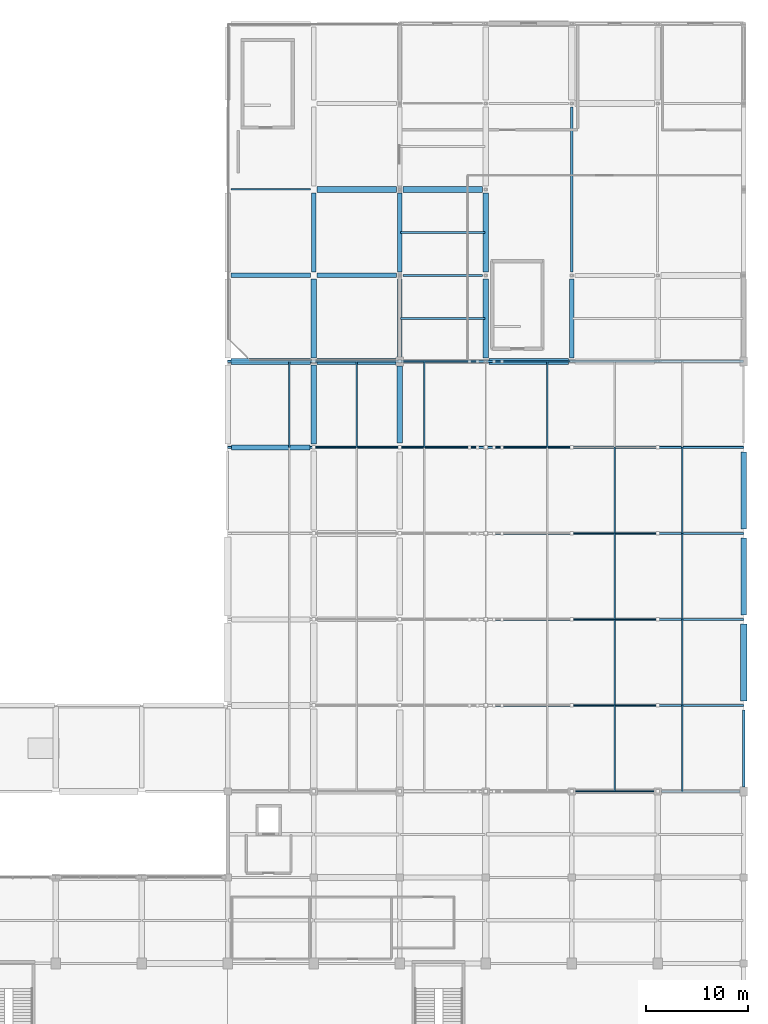
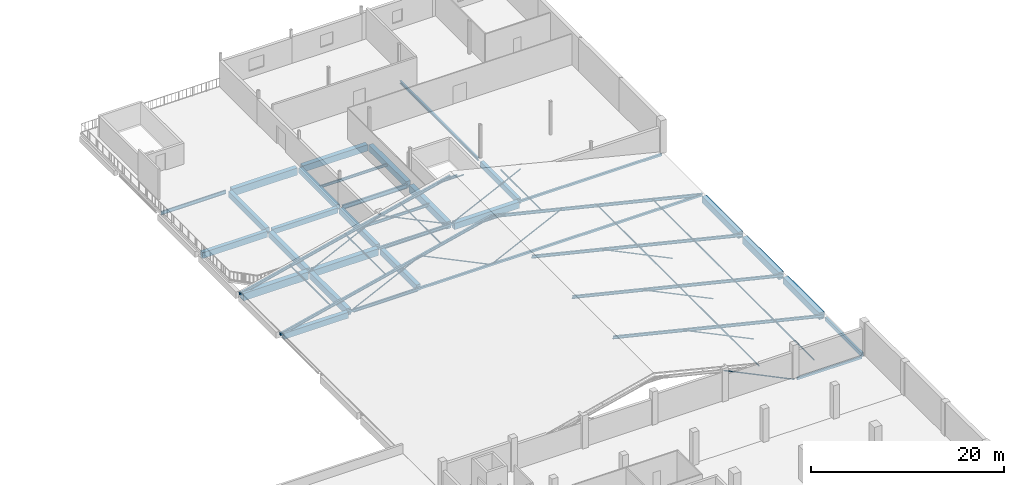
# One storey, part 37 of 64: 34 members, 29 beams.
"""IFC4 building model written with IfcOpenShell, lengths in metres."""

from ifc_helpers import new_model, si_unit, derived_unit, direction, frame, origin, origin_2d, place, context, subcontext, project, spatial, rectangle, hollow_rectangle, hollow_circle, i_section, extrude, material, material_profile, profile_set, type_object, element, save


model = new_model("IFC4")

# Units and contexts
model_context = context("Model", 3, precision=1e-05, world=origin(), true_north=direction((0.0, 1.0)))
body_context = subcontext(model_context, "Body", "Model", "MODEL_VIEW")
ifc_project = project(units=[si_unit("LENGTHUNIT", "METRE"), si_unit("AREAUNIT", "SQUARE_METRE"), si_unit("VOLUMEUNIT", "CUBIC_METRE"), si_unit("PLANEANGLEUNIT", "RADIAN"), si_unit("MASSUNIT", "GRAM", prefix="KILO"), derived_unit("THERMALTRANSMITTANCEUNIT", [(si_unit("POWERUNIT", "WATT"), 1), (si_unit("LENGTHUNIT", "METRE"), -2), (si_unit("THERMODYNAMICTEMPERATUREUNIT", "KELVIN"), -1)])], contexts=[model_context])

# Site, building, storey
site_placement = place(None, origin())
site = spatial("IfcSite", under=ifc_project, at=site_placement, CompositionType="ELEMENT")
building_placement = place(site_placement, origin())
building = spatial("IfcBuilding", under=site, at=building_placement, Name="Barrovel Congress Hotel", CompositionType="ELEMENT")
storey_placement = place(building_placement, frame((0.0, 0.0, 14.10009765625)))
storey = spatial("IfcBuildingStorey", under=building, at=storey_placement, Name="L03", CompositionType="ELEMENT", Elevation=14.10009765625)

# Beams
ifc_material_1 = material(Name="Concrete C40", Category="concrete")
ifc_material_profile_1 = material_profile(ifc_material_1, rectangle(XDim=0.25, YDim=0.5, at=origin_2d()), Name="RC250x500")
ifc_profile_set_1 = profile_set([ifc_material_profile_1], Name="Concrete C40")
beam_type_1 = type_object("IfcBeamType", Name="BM-RC250x500", PredefinedType="SPANDREL", material=ifc_profile_set_1)
beam_1_placement = place(storey_placement, frame((176.39990234375, 38.25, -0.489990234375), z_axis=(0.0, 1.0, 0.0), x_axis=(-1.0, 0.0, 0.0)))
element("IfcBeam", 1, at=beam_1_placement, inside=storey, type_object=beam_type_1, Name="BMY:L03:176.4:37.8-46.2", PredefinedType="SPANDREL", context=body_context, shape_type="SweptSolid", body=[
    extrude(rectangle(XDim=0.25, YDim=0.5, at=origin_2d()), origin(), (0.0, 0.0, 1.0), 7.5),
])
ifc_material_profile_2 = material_profile(ifc_material_1, rectangle(XDim=0.39990234375, YDim=0.699951171875, at=origin_2d()), Name="RC400x700")
ifc_profile_set_2 = profile_set([ifc_material_profile_2], Name="Concrete C40")
beam_type_2 = type_object("IfcBeamType", Name="BM-RC400x700", PredefinedType="BEAM", material=ifc_profile_set_2)
beam_2_placement = place(storey_placement, frame((159.60009765625, 80.125, -0.590087890625), z_axis=(0.0, 1.0, 0.0), x_axis=(-1.0, 0.0, 0.0)))
element("IfcBeam", 2, at=beam_2_placement, inside=storey, type_object=beam_type_2, Name="BMY:L03:159.6:79.8-88.2", PredefinedType="BEAM", context=body_context, shape_type="SweptSolid", body=[
    extrude(rectangle(XDim=0.39990234375, YDim=0.699951171875, at=origin_2d()), origin(), (0.0, 0.0, 1.0), 7.75),
])
ifc_material_profile_3 = material_profile(ifc_material_1, rectangle(XDim=0.449951171875, YDim=0.64990234375, at=origin_2d()), Name="RC450x650")
ifc_profile_set_3 = profile_set([ifc_material_profile_3], Name="Concrete C40")
beam_type_3 = type_object("IfcBeamType", Name="BM-RC450x650", PredefinedType="BEAM", material=ifc_profile_set_3)
for number, where, z_axis, x_axis, name in (
    (3, (134.72509765625, 88.199951171875, -0.565185546875), (1.0, 0.0, 0.0), (0.0, 1.0, 0.0), "BMX:L03:88.2:134.4-142.8"),
    (4, (142.800048828125, 88.52490234375, -0.565185546875), (0.0, 1.0, 0.0), (-1.0, 0.0, 0.0), "BMY:L03:142.8:88.2-96.6"),
):
    element("IfcBeam", number, at=place(storey_placement, frame(where, z_axis=z_axis, x_axis=x_axis)), inside=storey, type_object=beam_type_3, Name=name, PredefinedType="BEAM", context=body_context, shape_type="SweptSolid", body=[
        extrude(rectangle(XDim=0.449951171875, YDim=0.64990234375, at=origin_2d()), origin(), (0.0, 0.0, 1.0), 7.75),
    ])
ifc_material_profile_4 = material_profile(ifc_material_1, rectangle(XDim=0.449951171875, YDim=0.75, at=origin_2d()), Name="RC450x750")
ifc_profile_set_4 = profile_set([ifc_material_profile_4], Name="Concrete C40")
beam_type_4 = type_object("IfcBeamType", Name="BM-RC450x750", PredefinedType="BEAM", material=ifc_profile_set_4)
for number, where, z_axis, x_axis, name in (
    (5, (126.324951171875, 88.199951171875, -0.614990234375), (1.0, 0.0, 0.0), (0.0, 1.0, 0.0), "BMX:L03:88.2:126.0-134.4"),
    (6, (134.39990234375, 88.52490234375, -0.614990234375), (0.0, 1.0, 0.0), (-1.0, 0.0, 0.0), "BMY:L03:134.4:88.2-96.6"),
):
    element("IfcBeam", number, at=place(storey_placement, frame(where, z_axis=z_axis, x_axis=x_axis)), inside=storey, type_object=beam_type_4, Name=name, PredefinedType="BEAM", context=body_context, shape_type="SweptSolid", body=[
        extrude(rectangle(XDim=0.449951171875, YDim=0.75, at=origin_2d()), origin(), (0.0, 0.0, 1.0), 7.75),
    ])
beam_3_placement = place(storey_placement, frame((142.800048828125, 80.25, -0.614990234375), z_axis=(0.0, 1.0, 0.0), x_axis=(-1.0, 0.0, 0.0)))
element("IfcBeam", 7, at=beam_3_placement, inside=storey, type_object=beam_type_4, Name="BMY:L03:142.8:79.8-88.2", PredefinedType="BEAM", context=body_context, shape_type="SweptSolid", body=[
    extrude(rectangle(XDim=0.449951171875, YDim=0.75, at=origin_2d()), origin(), (0.0, 0.0, 1.0), 7.625),
])
ifc_material_profile_5 = material_profile(ifc_material_1, rectangle(XDim=0.5, YDim=0.75, at=origin_2d()), Name="RC500x750")
ifc_profile_set_5 = profile_set([ifc_material_profile_5], Name="Concrete C40")
beam_type_5 = type_object("IfcBeamType", Name="BM-RC500x750", PredefinedType="BEAM", material=ifc_profile_set_5)
beam_4_placement = place(storey_placement, frame((126.35009765625, 71.39990234375, -0.614990234375), z_axis=(1.0, 0.0, 0.0), x_axis=(0.0, 1.0, 0.0)))
element("IfcBeam", 8, at=beam_4_placement, inside=storey, type_object=beam_type_5, Name="BMX:L03:71.4:126.0-134.4", PredefinedType="BEAM", context=body_context, shape_type="SweptSolid", body=[
    extrude(rectangle(XDim=0.5, YDim=0.75, at=origin_2d()), origin(), (0.0, 0.0, 1.0), 7.699951171875),
])
beam_5_placement = place(storey_placement, frame((134.39990234375, 80.125, -0.614990234375), z_axis=(0.0, 1.0, 0.0), x_axis=(-1.0, 0.0, 0.0)))
element("IfcBeam", 9, at=beam_5_placement, inside=storey, type_object=beam_type_5, Name="BMY:L03:134.4:79.8-88.2", PredefinedType="BEAM", context=body_context, shape_type="SweptSolid", body=[
    extrude(rectangle(XDim=0.5, YDim=0.75, at=origin_2d()), origin(), (0.0, 0.0, 1.0), 7.75),
])
beam_6_placement = place(storey_placement, frame((142.800048828125, 71.85009765625, -0.614990234375), z_axis=(0.0, 1.0, 0.0), x_axis=(-1.0, 0.0, 0.0)))
element("IfcBeam", 10, at=beam_6_placement, inside=storey, type_object=beam_type_5, Name="BMY:L03:142.8:71.4-79.8", PredefinedType="BEAM", context=body_context, shape_type="SweptSolid", body=[
    extrude(rectangle(XDim=0.5, YDim=0.75, at=origin_2d()), origin(), (0.0, 0.0, 1.0), 7.5),
])
ifc_material_profile_6 = material_profile(ifc_material_1, rectangle(XDim=0.5, YDim=0.85009765625, at=origin_2d()), Name="RC500x850")
ifc_profile_set_6 = profile_set([ifc_material_profile_6], Name="Concrete C40")
beam_type_6 = type_object("IfcBeamType", Name="BM-RC500x850", PredefinedType="BEAM", material=ifc_profile_set_6)
beam_7_placement = place(storey_placement, frame((134.39990234375, 71.75, -0.6650390625), z_axis=(0.0, 1.0, 0.0), x_axis=(-1.0, 0.0, 0.0)))
element("IfcBeam", 11, at=beam_7_placement, inside=storey, type_object=beam_type_6, Name="BMY:L03:134.4:71.4-79.8", PredefinedType="BEAM", context=body_context, shape_type="SweptSolid", body=[
    extrude(rectangle(XDim=0.5, YDim=0.85009765625, at=origin_2d()), origin(), (0.0, 0.0, 1.0), 7.72509765625),
])
ifc_material_profile_7 = material_profile(ifc_material_1, rectangle(XDim=0.550048828125, YDim=0.800048828125, at=origin_2d()), Name="RC550x800")
ifc_profile_set_7 = profile_set([ifc_material_profile_7], Name="Concrete C40")
beam_type_7 = type_object("IfcBeamType", Name="BM-RC550x800", PredefinedType="BEAM", material=ifc_profile_set_7)
for number, where, z_axis, x_axis, name in (
    (12, (151.52490234375, 79.800048828125, -0.64013671875), (1.0, 0.0, 0.0), (0.0, 1.0, 0.0), "BMX:L03:79.8:151.2-159.6"),
    (13, (143.125, 96.60009765625, -0.64013671875), (1.0, 0.0, 0.0), (0.0, 1.0, 0.0), "BMX:L03:96.6:142.8-151.2"),
    (14, (151.199951171875, 88.52490234375, -0.64013671875), (0.0, 1.0, 0.0), (-1.0, 0.0, 0.0), "BMY:L03:151.2:88.2-96.6"),
):
    element("IfcBeam", number, at=place(storey_placement, frame(where, z_axis=z_axis, x_axis=x_axis)), inside=storey, type_object=beam_type_7, Name=name, PredefinedType="BEAM", context=body_context, shape_type="SweptSolid", body=[
        extrude(rectangle(XDim=0.550048828125, YDim=0.800048828125, at=origin_2d()), origin(), (0.0, 0.0, 1.0), 7.75),
    ])
beam_8_placement = place(storey_placement, frame((176.39990234375, 63.449951171875, -0.64013671875), z_axis=(0.0, 1.0, 0.0), x_axis=(-1.0, 0.0, 0.0)))
element("IfcBeam", 15, at=beam_8_placement, inside=storey, type_object=beam_type_7, Name="BMY:L03:176.4:63.0-71.4", PredefinedType="BEAM", context=body_context, shape_type="SweptSolid", body=[
    extrude(rectangle(XDim=0.550048828125, YDim=0.800048828125, at=origin_2d()), origin(), (0.0, 0.0, 1.0), 7.5),
])
ifc_material_profile_8 = material_profile(ifc_material_1, rectangle(XDim=0.550048828125, YDim=0.89990234375, at=origin_2d()), Name="RC550x900")
ifc_profile_set_8 = profile_set([ifc_material_profile_8], Name="Concrete C40")
beam_type_8 = type_object("IfcBeamType", Name="BM-RC550x900", PredefinedType="BEAM", material=ifc_profile_set_8)
for number, where, z_axis, x_axis, name in (
    (16, (134.72509765625, 96.60009765625, -0.690185546875), (1.0, 0.0, 0.0), (0.0, 1.0, 0.0), "BMX:L03:96.6:134.4-142.8"),
    (17, (151.199951171875, 80.125, -0.690185546875), (0.0, 1.0, 0.0), (-1.0, 0.0, 0.0), "BMY:L03:151.2:79.8-88.2"),
):
    element("IfcBeam", number, at=place(storey_placement, frame(where, z_axis=z_axis, x_axis=x_axis)), inside=storey, type_object=beam_type_8, Name=name, PredefinedType="BEAM", context=body_context, shape_type="SweptSolid", body=[
        extrude(rectangle(XDim=0.550048828125, YDim=0.89990234375, at=origin_2d()), origin(), (0.0, 0.0, 1.0), 7.75),
    ])
beam_9_placement = place(storey_placement, frame((176.39990234375, 55.050048828125, -0.690185546875), z_axis=(0.0, 1.0, 0.0), x_axis=(-1.0, 0.0, 0.0)))
element("IfcBeam", 18, at=beam_9_placement, inside=storey, type_object=beam_type_8, Name="BMY:L03:176.4:54.6-63.0", PredefinedType="BEAM", context=body_context, shape_type="SweptSolid", body=[
    extrude(rectangle(XDim=0.550048828125, YDim=0.89990234375, at=origin_2d()), origin(), (0.0, 0.0, 1.0), 7.5),
])
ifc_material_profile_9 = material_profile(ifc_material_1, rectangle(XDim=0.60009765625, YDim=0.85009765625, at=origin_2d()), Name="RC600x850")
ifc_profile_set_9 = profile_set([ifc_material_profile_9], Name="Concrete C40")
beam_type_9 = type_object("IfcBeamType", Name="BM-RC600x850", PredefinedType="BEAM", material=ifc_profile_set_9)
beam_10_placement = place(storey_placement, frame((134.72509765625, 79.800048828125, -0.6650390625), z_axis=(1.0, 0.0, 0.0), x_axis=(0.0, 1.0, 0.0)))
element("IfcBeam", 19, at=beam_10_placement, inside=storey, type_object=beam_type_9, Name="BMX:L03:79.8:134.4-142.8", PredefinedType="BEAM", context=body_context, shape_type="SweptSolid", body=[
    extrude(rectangle(XDim=0.60009765625, YDim=0.85009765625, at=origin_2d()), origin(), (0.0, 0.0, 1.0), 7.724853515625),
])
beam_11_placement = place(storey_placement, frame((176.39990234375, 46.64990234375, -0.6650390625), z_axis=(0.0, 1.0, 0.0), x_axis=(-1.0, 0.0, 0.0)))
element("IfcBeam", 20, at=beam_11_placement, inside=storey, type_object=beam_type_9, Name="BMY:L03:176.4:46.2-54.6", PredefinedType="BEAM", context=body_context, shape_type="SweptSolid", body=[
    extrude(rectangle(XDim=0.60009765625, YDim=0.85009765625, at=origin_2d()), origin(), (0.0, 0.0, 1.0), 7.5),
])
ifc_material_profile_10 = material_profile(ifc_material_1, rectangle(XDim=0.60009765625, YDim=0.949951171875, at=origin_2d()), Name="RC600x950")
ifc_profile_set_10 = profile_set([ifc_material_profile_10], Name="Concrete C40")
beam_type_10 = type_object("IfcBeamType", Name="BM-RC600x950", PredefinedType="BEAM", material=ifc_profile_set_10)
beam_12_placement = place(storey_placement, frame((126.324951171875, 79.800048828125, -0.715087890625), z_axis=(1.0, 0.0, 0.0), x_axis=(0.0, 1.0, 0.0)))
element("IfcBeam", 21, at=beam_12_placement, inside=storey, type_object=beam_type_10, Name="BMX:L03:79.8:126.0-134.4", PredefinedType="BEAM", context=body_context, shape_type="SweptSolid", body=[
    extrude(rectangle(XDim=0.60009765625, YDim=0.949951171875, at=origin_2d()), origin(), (0.0, 0.0, 1.0), 7.75),
])

# Members
ifc_material_2 = material(Name="Steel ASTM A500 Grade C", Category="steel")
ifc_material_profile_11 = material_profile(ifc_material_2, hollow_circle(Radius=0.070556640625, WallThickness=0.006591796875, at=origin_2d()), Name="CHS141.3x7.1")
ifc_profile_set_11 = profile_set([ifc_material_profile_11], Name="Steel ASTM A500 Grade C")
member_type_1 = type_object("IfcMemberType", Name="MEM-CHS141.3x7.1", PredefinedType="BRACE", material=ifc_profile_set_11)
for number, where, z_axis, x_axis, name in (
    (22, (168.0, 37.800048828125, -0.380126953125), (-0.90053926839, 0.0, 0.434774684277), (0.0, -1.0, 0.0), "V2-TR-DG:1:168.0-159.6"),
    (23, (168.0, 46.199951171875, -0.380126953125), (-0.90053926839, 0.0, 0.434774684277), (0.0, -1.0, 0.0), "V2-TR-DG:2:168.0-159.6"),
    (24, (168.0, 54.60009765625, -0.380126953125), (-0.90053926839, 0.0, 0.434774684277), (0.0, -1.0, 0.0), "V2-TR-DG:3:168.0-159.6"),
    (25, (168.0, 63.0, -0.380126953125), (-0.90053926839, 0.0, 0.434774684277), (0.0, -1.0, 0.0), "V2-TR-DG:4:168.0-159.6"),
):
    element("IfcMember", number, at=place(storey_placement, frame(where, z_axis=z_axis, x_axis=x_axis)), inside=storey, type_object=member_type_1, Name=name, PredefinedType="BRACE", context=body_context, shape_type="SweptSolid", body=[
        extrude(hollow_circle(Radius=0.070556640625, WallThickness=0.006591796875, at=origin_2d()), origin(), (0.0, 0.0, 1.0), 9.32763671875),
    ])
member_1_placement = place(storey_placement, frame((134.39990234375, 71.39990234375, -0.380126953125), z_axis=(0.900544215842, 0.0, 0.434764436578), x_axis=(0.0, 1.0, 0.0)))
element("IfcMember", 26, at=member_1_placement, inside=storey, type_object=member_type_1, Name="V2-TR-DG:5:134.4-142.8", PredefinedType="BRACE", context=body_context, shape_type="SweptSolid", body=[
    extrude(hollow_circle(Radius=0.070556640625, WallThickness=0.006591796875, at=origin_2d()), origin(), (0.0, 0.0, 1.0), 9.327880859375),
])
member_2_placement = place(storey_placement, frame((151.199951171875, 71.39990234375, -0.380126953125), z_axis=(-0.90053926839, 0.0, 0.434774684277), x_axis=(0.0, -1.0, 0.0)))
element("IfcMember", 27, at=member_2_placement, inside=storey, type_object=member_type_1, Name="V2-TR-DG:5:151.2-142.8", PredefinedType="BRACE", context=body_context, shape_type="SweptSolid", body=[
    extrude(hollow_circle(Radius=0.070556640625, WallThickness=0.006591796875, at=origin_2d()), origin(), (0.0, 0.0, 1.0), 9.32763671875),
])
for number, where, z_axis, x_axis, name in (
    (28, (151.199951171875, 71.39990234375, -0.380126953125), (0.900544215842, 0.0, 0.434764436578), (0.0, 1.0, 0.0), "V2-TR-DG:5:151.2-159.6"),
    (29, (134.39990234375, 79.800048828125, -0.380126953125), (0.900544215842, 0.0, 0.434764436578), (0.0, 1.0, 0.0), "V2-TR-DG:6:134.4-142.8"),
):
    element("IfcMember", number, at=place(storey_placement, frame(where, z_axis=z_axis, x_axis=x_axis)), inside=storey, type_object=member_type_1, Name=name, PredefinedType="BRACE", context=body_context, shape_type="SweptSolid", body=[
        extrude(hollow_circle(Radius=0.070556640625, WallThickness=0.006591796875, at=origin_2d()), origin(), (0.0, 0.0, 1.0), 9.327880859375),
    ])
member_3_placement = place(storey_placement, frame((151.199951171875, 79.800048828125, -0.380126953125), z_axis=(-0.90053926839, 0.0, 0.434774684277), x_axis=(0.0, -1.0, 0.0)))
element("IfcMember", 30, at=member_3_placement, inside=storey, type_object=member_type_1, Name="V2-TR-DG:6:151.2-142.8", PredefinedType="BRACE", context=body_context, shape_type="SweptSolid", body=[
    extrude(hollow_circle(Radius=0.070556640625, WallThickness=0.006591796875, at=origin_2d()), origin(), (0.0, 0.0, 1.0), 9.32763671875),
])
member_4_placement = place(storey_placement, frame((151.199951171875, 79.800048828125, -0.380126953125), z_axis=(0.900544215842, 0.0, 0.434764436578), x_axis=(0.0, 1.0, 0.0)))
element("IfcMember", 31, at=member_4_placement, inside=storey, type_object=member_type_1, Name="V2-TR-DG:6:151.2-159.6", PredefinedType="BRACE", context=body_context, shape_type="SweptSolid", body=[
    extrude(hollow_circle(Radius=0.070556640625, WallThickness=0.006591796875, at=origin_2d()), origin(), (0.0, 0.0, 1.0), 9.327880859375),
])
ifc_material_profile_12 = material_profile(ifc_material_2, hollow_rectangle(XDim=0.126953125, YDim=0.126953125, WallThickness=0.005859375, InnerFilletRadius=0.005859375, OuterFilletRadius=0.01171875, at=origin_2d()), Name="HSS127x127x6.4")
ifc_profile_set_12 = profile_set([ifc_material_profile_12], Name="Steel ASTM A500 Grade C")
member_type_2 = type_object("IfcMemberType", Name="MEM-HSS127x127x6.4", PredefinedType="STRUT", material=ifc_profile_set_12)
for number, where, z_axis, x_axis, name in (
    (32, (149.60009765625, 71.39990234375, 5.31689453125), (1.0, 0.0, 0.0), (0.0, 1.0, 0.0), "V2-TR-STRUT:5"),
    (33, (149.60009765625, 79.800048828125, 5.31689453125), (1.0, 0.0, 0.0), (0.0, 1.0, 0.0), "V2-TR-STRUT:6"),
):
    element("IfcMember", number, at=place(storey_placement, frame(where, z_axis=z_axis, x_axis=x_axis)), inside=storey, type_object=member_type_2, Name=name, PredefinedType="STRUT", context=body_context, shape_type="SweptSolid", body=[
        extrude(hollow_rectangle(XDim=0.126953125, YDim=0.126953125, WallThickness=0.005859375, InnerFilletRadius=0.005859375, OuterFilletRadius=0.01171875, at=origin_2d()), origin(), (0.0, 0.0, 1.0), 3.199951171875),
    ])
ifc_material_profile_13 = material_profile(ifc_material_2, hollow_rectangle(XDim=0.1015625, YDim=0.15234375, WallThickness=0.005859375, InnerFilletRadius=0.005859375, OuterFilletRadius=0.01171875, at=origin_2d()), Name="HSS152x102x6.4")
ifc_profile_set_13 = profile_set([ifc_material_profile_13], Name="Steel ASTM A500 Grade C")
member_type_3 = type_object("IfcMemberType", Name="MEM-HSS152x102x6.4", PredefinedType="PURLIN", material=ifc_profile_set_13)
for number, where, z_axis, x_axis, name in (
    (34, (132.0, 71.39990234375, 1.208251953125), (0.0, 1.0, 0.0), (-1.0, 0.0, 0.0), "V2-PUR:132.0:71.4"),
    (35, (138.60009765625, 71.39990234375, 2.801513671875), (0.0, 1.0, 0.0), (-1.0, 0.0, 0.0), "V2-PUR:138.6:71.4"),
    (36, (145.199951171875, 71.39990234375, 4.39453125), (0.0, 1.0, 0.0), (-1.0, 0.0, 0.0), "V2-PUR:145.2:71.4"),
    (37, (157.199951171875, 71.39990234375, 4.39453125), (0.0, 1.0, 0.0), (-1.0, 0.0, 0.0), "V2-PUR:157.2:71.4"),
):
    element("IfcMember", number, at=place(storey_placement, frame(where, z_axis=z_axis, x_axis=x_axis)), inside=storey, type_object=member_type_3, Name=name, PredefinedType="PURLIN", context=body_context, shape_type="SweptSolid", body=[
        extrude(hollow_rectangle(XDim=0.1015625, YDim=0.15234375, WallThickness=0.005859375, InnerFilletRadius=0.005859375, OuterFilletRadius=0.01171875, at=origin_2d()), origin(), (0.0, 0.0, 1.0), 8.400146484375),
    ])
member_5_placement = place(storey_placement, frame((163.800048828125, 37.800048828125, 2.801513671875), z_axis=(0.0, 1.0, 0.0), x_axis=(-1.0, 0.0, 0.0)))
element("IfcMember", 38, at=member_5_placement, inside=storey, type_object=member_type_3, Name="V2-PUR:163.8:37.8", PredefinedType="PURLIN", context=body_context, shape_type="SweptSolid", body=[
    extrude(hollow_rectangle(XDim=0.1015625, YDim=0.15234375, WallThickness=0.005859375, InnerFilletRadius=0.005859375, OuterFilletRadius=0.01171875, at=origin_2d()), origin(), (0.0, 0.0, 1.0), 8.39990234375),
])
member_6_placement = place(storey_placement, frame((163.800048828125, 46.199951171875, 2.801513671875), z_axis=(0.0, 1.0, 0.0), x_axis=(-1.0, 0.0, 0.0)))
element("IfcMember", 39, at=member_6_placement, inside=storey, type_object=member_type_3, Name="V2-PUR:163.8:46.2", PredefinedType="PURLIN", context=body_context, shape_type="SweptSolid", body=[
    extrude(hollow_rectangle(XDim=0.1015625, YDim=0.15234375, WallThickness=0.005859375, InnerFilletRadius=0.005859375, OuterFilletRadius=0.01171875, at=origin_2d()), origin(), (0.0, 0.0, 1.0), 8.400146484375),
])
for number, where, z_axis, x_axis, name in (
    (40, (163.800048828125, 54.60009765625, 2.801513671875), (0.0, 1.0, 0.0), (-1.0, 0.0, 0.0), "V2-PUR:163.8:54.6"),
    (41, (163.800048828125, 63.0, 2.801513671875), (0.0, 1.0, 0.0), (-1.0, 0.0, 0.0), "V2-PUR:163.8:63.0"),
    (42, (170.39990234375, 37.800048828125, 1.208251953125), (0.0, 1.0, 0.0), (-1.0, 0.0, 0.0), "V2-PUR:170.4:37.8"),
):
    element("IfcMember", number, at=place(storey_placement, frame(where, z_axis=z_axis, x_axis=x_axis)), inside=storey, type_object=member_type_3, Name=name, PredefinedType="PURLIN", context=body_context, shape_type="SweptSolid", body=[
        extrude(hollow_rectangle(XDim=0.1015625, YDim=0.15234375, WallThickness=0.005859375, InnerFilletRadius=0.005859375, OuterFilletRadius=0.01171875, at=origin_2d()), origin(), (0.0, 0.0, 1.0), 8.39990234375),
    ])
member_7_placement = place(storey_placement, frame((170.39990234375, 46.199951171875, 1.208251953125), z_axis=(0.0, 1.0, 0.0), x_axis=(-1.0, 0.0, 0.0)))
element("IfcMember", 43, at=member_7_placement, inside=storey, type_object=member_type_3, Name="V2-PUR:170.4:46.2", PredefinedType="PURLIN", context=body_context, shape_type="SweptSolid", body=[
    extrude(hollow_rectangle(XDim=0.1015625, YDim=0.15234375, WallThickness=0.005859375, InnerFilletRadius=0.005859375, OuterFilletRadius=0.01171875, at=origin_2d()), origin(), (0.0, 0.0, 1.0), 8.400146484375),
])
for number, where, z_axis, x_axis, name in (
    (44, (170.39990234375, 54.60009765625, 1.208251953125), (0.0, 1.0, 0.0), (-1.0, 0.0, 0.0), "V2-PUR:170.4:54.6"),
    (45, (170.39990234375, 63.0, 1.208251953125), (0.0, 1.0, 0.0), (-1.0, 0.0, 0.0), "V2-PUR:170.4:63.0"),
):
    element("IfcMember", number, at=place(storey_placement, frame(where, z_axis=z_axis, x_axis=x_axis)), inside=storey, type_object=member_type_3, Name=name, PredefinedType="PURLIN", context=body_context, shape_type="SweptSolid", body=[
        extrude(hollow_rectangle(XDim=0.1015625, YDim=0.15234375, WallThickness=0.005859375, InnerFilletRadius=0.005859375, OuterFilletRadius=0.01171875, at=origin_2d()), origin(), (0.0, 0.0, 1.0), 8.39990234375),
    ])
ifc_material_profile_14 = material_profile(ifc_material_2, hollow_rectangle(XDim=0.203125, YDim=0.203125, WallThickness=0.0087890625, InnerFilletRadius=0.0087890625, OuterFilletRadius=0.017578125, at=origin_2d()), Name="HSS203x203x9.5")
ifc_profile_set_14 = profile_set([ifc_material_profile_14], Name="Steel ASTM A500 Grade C")
member_type_4 = type_object("IfcMemberType", Name="MEM-HSS203x203x9.5", PredefinedType="POST", material=ifc_profile_set_14)
for number, where, z_axis, x_axis, name in (
    (46, (150.39990234375, 71.39990234375, 5.510009765625), (1.0, 0.0, 0.0), (0.0, 1.0, 0.0), "V2-TR-POST:5"),
    (47, (150.39990234375, 79.800048828125, 5.510009765625), (1.0, 0.0, 0.0), (0.0, 1.0, 0.0), "V2-TR-POST:6"),
):
    element("IfcMember", number, at=place(storey_placement, frame(where, z_axis=z_axis, x_axis=x_axis)), inside=storey, type_object=member_type_4, Name=name, PredefinedType="POST", context=body_context, shape_type="SweptSolid", body=[
        extrude(hollow_rectangle(XDim=0.203125, YDim=0.203125, WallThickness=0.0087890625, InnerFilletRadius=0.0087890625, OuterFilletRadius=0.017578125, at=origin_2d()), origin(), (0.0, 0.0, 1.0), 1.60009765625),
    ])
ifc_material_profile_15 = material_profile(ifc_material_2, hollow_rectangle(XDim=0.25390625, YDim=0.25390625, WallThickness=0.0087890625, InnerFilletRadius=0.0087890625, OuterFilletRadius=0.017578125, at=origin_2d()), Name="HSS254x254x9.5")
ifc_profile_set_15 = profile_set([ifc_material_profile_15], Name="Steel ASTM A500 Grade C")
member_type_5 = type_object("IfcMemberType", Name="MEM-HSS254x254x9.5", PredefinedType="CHORD", material=ifc_profile_set_15)
for number, where, z_axis, x_axis, name in (
    (48, (126.0, 71.39990234375, -0.380126953125), (1.0, 0.0, 0.0), (0.0, 1.0, 0.0), "Ballroom Roof Truss Bottom Chord 5"),
    (49, (126.0, 79.800048828125, -0.380126953125), (1.0, 0.0, 0.0), (0.0, 1.0, 0.0), "Ballroom Roof Truss Bottom Chord 6"),
):
    element("IfcMember", number, at=place(storey_placement, frame(where, z_axis=z_axis, x_axis=x_axis)), inside=storey, type_object=member_type_5, Name=name, PredefinedType="CHORD", context=body_context, shape_type="SweptSolid", body=[
        extrude(hollow_rectangle(XDim=0.25390625, YDim=0.25390625, WallThickness=0.0087890625, InnerFilletRadius=0.0087890625, OuterFilletRadius=0.017578125, at=origin_2d()), origin(), (0.0, 0.0, 1.0), 50.39990234375),
    ])
ifc_material_3 = material(Name="Steel ASTM A992 Grade 50", Category="steel")
ifc_material_profile_16 = material_profile(ifc_material_3, i_section(OverallWidth=0.205078125, OverallDepth=0.35400390625, WebThickness=0.009521484375, FlangeThickness=0.016845703125, FilletRadius=0.012939453125, at=origin_2d()), Name="W360x79")
ifc_profile_set_16 = profile_set([ifc_material_profile_16], Name="Steel ASTM A992 Grade 50")
member_type_6 = type_object("IfcMemberType", Name="MEM-W360x79", PredefinedType="RAFTER", material=ifc_profile_set_16)
for number, where, z_axis, x_axis, name in (
    (50, (151.199951171875, 46.199951171875, 5.702880859375), (0.972079912314, 0.0, -0.234650045972), (0.0, 1.0, 0.0), "Ballroom Roof Truss Rafter E 2"),
    (51, (151.199951171875, 54.60009765625, 5.702880859375), (0.972079912314, 0.0, -0.234650045972), (0.0, 1.0, 0.0), "Ballroom Roof Truss Rafter E 3"),
    (52, (151.199951171875, 63.0, 5.702880859375), (0.972079912314, 0.0, -0.234650045972), (0.0, 1.0, 0.0), "Ballroom Roof Truss Rafter E 4"),
    (53, (126.0, 71.39990234375, -0.380126953125), (0.972079912314, 0.0, 0.234650045972), (0.0, 1.0, 0.0), "Ballroom Roof Truss Rafter W 5"),
    (54, (151.199951171875, 71.39990234375, 5.702880859375), (0.972079912314, 0.0, -0.234650045972), (0.0, 1.0, 0.0), "Ballroom Roof Truss Rafter E 5"),
    (55, (126.0, 79.800048828125, -0.380126953125), (0.972079912314, 0.0, 0.234650045972), (0.0, 1.0, 0.0), "Ballroom Roof Truss Rafter W 6"),
):
    element("IfcMember", number, at=place(storey_placement, frame(where, z_axis=z_axis, x_axis=x_axis)), inside=storey, type_object=member_type_6, Name=name, PredefinedType="RAFTER", context=body_context, shape_type="SweptSolid", body=[
        extrude(i_section(OverallWidth=0.205078125, OverallDepth=0.35400390625, WebThickness=0.009521484375, FlangeThickness=0.016845703125, FilletRadius=0.012939453125, at=origin_2d()), origin(), (0.0, 0.0, 1.0), 25.923828125),
    ])

# Beams
ifc_material_profile_17 = material_profile(ifc_material_2, hollow_rectangle(XDim=0.203125, YDim=0.3046875, WallThickness=0.01171875, InnerFilletRadius=0.01171875, OuterFilletRadius=0.023681640625, at=origin_2d()), Name="HSS305x203x12.7")
ifc_profile_set_17 = profile_set([ifc_material_profile_17], Name="Steel ASTM A500 Grade C")
beam_type_11 = type_object("IfcBeamType", Name="SBM-HSS305x203x12.7", PredefinedType="SPANDREL", material=ifc_profile_set_17)
beam_13_placement = place(storey_placement, frame((168.35009765625, 37.800048828125, -0.392578125), z_axis=(1.0, 0.0, 0.0), x_axis=(0.0, 1.0, 0.0)))
element("IfcBeam", 56, at=beam_13_placement, inside=storey, type_object=beam_type_11, Name="BMX:L03:37.8:168.0-176.4", PredefinedType="SPANDREL", context=body_context, shape_type="SweptSolid", body=[
    extrude(hollow_rectangle(XDim=0.203125, YDim=0.3046875, WallThickness=0.01171875, InnerFilletRadius=0.01171875, OuterFilletRadius=0.023681640625, at=origin_2d()), origin(), (0.0, 0.0, 1.0), 7.699951171875),
])
ifc_material_profile_18 = material_profile(ifc_material_3, i_section(OverallWidth=0.1669921875, OverallDepth=0.31689453125, WebThickness=0.007568359375, FlangeThickness=0.01318359375, FilletRadius=0.010986328125, at=origin_2d()), Name="W310x52")
ifc_profile_set_18 = profile_set([ifc_material_profile_18], Name="Steel ASTM A992 Grade 50")
beam_type_12 = type_object("IfcBeamType", Name="SBM-W310x52", PredefinedType="JOIST", material=ifc_profile_set_18)
beam_14_placement = place(storey_placement, frame((142.8798828125, 92.39990234375, -0.398681640625), z_axis=(1.0, 0.0, 0.0), x_axis=(0.0, 1.0, 0.0)))
element("IfcBeam", 57, at=beam_14_placement, inside=storey, type_object=beam_type_12, Name="JST:L03:142.8:92.4", PredefinedType="JOIST", context=body_context, shape_type="SweptSolid", body=[
    extrude(i_section(OverallWidth=0.1669921875, OverallDepth=0.31689453125, WebThickness=0.007568359375, FlangeThickness=0.01318359375, FilletRadius=0.010986328125, at=origin_2d()), origin(), (0.0, 0.0, 1.0), 8.240234375),
])
ifc_material_profile_19 = material_profile(ifc_material_3, i_section(OverallWidth=0.1708984375, OverallDepth=0.35205078125, WebThickness=0.0068359375, FlangeThickness=0.009765625, FilletRadius=0.011962890625, at=origin_2d()), Name="W360x44")
ifc_profile_set_19 = profile_set([ifc_material_profile_19], Name="Steel ASTM A992 Grade 50")
beam_type_13 = type_object("IfcBeamType", Name="SBM-W360x44", PredefinedType="JOIST", material=ifc_profile_set_19)
beam_15_placement = place(storey_placement, frame((142.8798828125, 84.0, -0.416015625), z_axis=(1.0, 0.0, 0.0), x_axis=(0.0, 1.0, 0.0)))
element("IfcBeam", 58, at=beam_15_placement, inside=storey, type_object=beam_type_13, Name="JST:L03:142.8:84.0", PredefinedType="JOIST", context=body_context, shape_type="SweptSolid", body=[
    extrude(i_section(OverallWidth=0.1708984375, OverallDepth=0.35205078125, WebThickness=0.0068359375, FlangeThickness=0.009765625, FilletRadius=0.011962890625, at=origin_2d()), origin(), (0.0, 0.0, 1.0), 8.240234375),
])
ifc_material_profile_20 = material_profile(ifc_material_3, i_section(OverallWidth=0.205078125, OverallDepth=0.35400390625, WebThickness=0.009521484375, FlangeThickness=0.016845703125, FilletRadius=0.012939453125, at=origin_2d()), Name="W360x79")
ifc_profile_set_20 = profile_set([ifc_material_profile_20], Name="Steel ASTM A992 Grade 50")
beam_type_14 = type_object("IfcBeamType", Name="SBM-W360x79", PredefinedType="BEAM", material=ifc_profile_set_20)
beam_16_placement = place(storey_placement, frame((159.60009765625, 88.52490234375, -0.4169921875), z_axis=(0.0, 1.0, 0.0), x_axis=(-1.0, 0.0, 0.0)))
element("IfcBeam", 59, at=beam_16_placement, inside=storey, type_object=beam_type_14, Name="BMY:L03:159.6:88.2-105.0", PredefinedType="BEAM", context=body_context, shape_type="SweptSolid", body=[
    extrude(i_section(OverallWidth=0.205078125, OverallDepth=0.35400390625, WebThickness=0.009521484375, FlangeThickness=0.016845703125, FilletRadius=0.012939453125, at=origin_2d()), origin(), (0.0, 0.0, 1.0), 16.150146484375),
])
ifc_material_profile_21 = material_profile(ifc_material_3, i_section(OverallWidth=0.178955078125, OverallDepth=0.409912109375, WebThickness=0.0087890625, FlangeThickness=0.014404296875, FilletRadius=0.011962890625, at=origin_2d()), Name="W410x67")
ifc_profile_set_21 = profile_set([ifc_material_profile_21], Name="Steel ASTM A992 Grade 50")
beam_type_15 = type_object("IfcBeamType", Name="SBM-W410x67", PredefinedType="BEAM", material=ifc_profile_set_21)
beam_17_placement = place(storey_placement, frame((134.75, 71.39990234375, -0.445068359375), z_axis=(1.0, 0.0, 0.0), x_axis=(0.0, 1.0, 0.0)))
element("IfcBeam", 60, at=beam_17_placement, inside=storey, type_object=beam_type_15, Name="BMX:L03:71.4:134.4-142.8", PredefinedType="BEAM", context=body_context, shape_type="SweptSolid", body=[
    extrude(i_section(OverallWidth=0.178955078125, OverallDepth=0.409912109375, WebThickness=0.0087890625, FlangeThickness=0.014404296875, FilletRadius=0.011962890625, at=origin_2d()), origin(), (0.0, 0.0, 1.0), 7.699951171875),
])
ifc_material_profile_22 = material_profile(ifc_material_3, i_section(OverallWidth=0.154052734375, OverallDepth=0.458984375, WebThickness=0.009033203125, FlangeThickness=0.015380859375, FilletRadius=0.012939453125, at=origin_2d()), Name="W460x68")
ifc_profile_set_22 = profile_set([ifc_material_profile_22], Name="Steel ASTM A992 Grade 50")
beam_type_16 = type_object("IfcBeamType", Name="SBM-W460x68", PredefinedType="BEAM", material=ifc_profile_set_22)
beam_18_placement = place(storey_placement, frame((126.324951171875, 96.60009765625, -0.469482421875), z_axis=(1.0, 0.0, 0.0), x_axis=(0.0, 1.0, 0.0)))
element("IfcBeam", 61, at=beam_18_placement, inside=storey, type_object=beam_type_16, Name="BMX:L03:96.6:126.0-134.4", PredefinedType="BEAM", context=body_context, shape_type="SweptSolid", body=[
    extrude(i_section(OverallWidth=0.154052734375, OverallDepth=0.458984375, WebThickness=0.009033203125, FlangeThickness=0.015380859375, FilletRadius=0.012939453125, at=origin_2d()), origin(), (0.0, 0.0, 1.0), 7.75),
])
ifc_material_profile_23 = material_profile(ifc_material_3, i_section(OverallWidth=0.19091796875, OverallDepth=0.4599609375, WebThickness=0.010009765625, FlangeThickness=0.01611328125, FilletRadius=0.012939453125, at=origin_2d()), Name="W460x82")
ifc_profile_set_23 = profile_set([ifc_material_profile_23], Name="Steel ASTM A992 Grade 50")
beam_type_17 = type_object("IfcBeamType", Name="SBM-W460x82", PredefinedType="BEAM", material=ifc_profile_set_23)
beam_19_placement = place(storey_placement, frame((143.14990234375, 79.800048828125, -0.47021484375), z_axis=(1.0, 0.0, 0.0), x_axis=(0.0, 1.0, 0.0)))
element("IfcBeam", 62, at=beam_19_placement, inside=storey, type_object=beam_type_17, Name="BMX:L03:79.8:142.8-151.2", PredefinedType="BEAM", context=body_context, shape_type="SweptSolid", body=[
    extrude(i_section(OverallWidth=0.19091796875, OverallDepth=0.4599609375, WebThickness=0.010009765625, FlangeThickness=0.01611328125, FilletRadius=0.012939453125, at=origin_2d()), origin(), (0.0, 0.0, 1.0), 7.72509765625),
])
ifc_material_profile_24 = material_profile(ifc_material_3, i_section(OverallWidth=0.208984375, OverallDepth=0.532958984375, WebThickness=0.01025390625, FlangeThickness=0.015625, FilletRadius=0.013916015625, at=origin_2d()), Name="W530x92")
ifc_profile_set_24 = profile_set([ifc_material_profile_24], Name="Steel ASTM A992 Grade 50")
beam_type_18 = type_object("IfcBeamType", Name="SBM-W530x92", PredefinedType="BEAM", material=ifc_profile_set_24)
beam_20_placement = place(storey_placement, frame((143.125, 88.199951171875, -0.506591796875), z_axis=(1.0, 0.0, 0.0), x_axis=(0.0, 1.0, 0.0)))
element("IfcBeam", 63, at=beam_20_placement, inside=storey, type_object=beam_type_18, Name="BMX:L03:88.2:142.8-151.2", PredefinedType="BEAM", context=body_context, shape_type="SweptSolid", body=[
    extrude(i_section(OverallWidth=0.208984375, OverallDepth=0.532958984375, WebThickness=0.01025390625, FlangeThickness=0.015625, FilletRadius=0.013916015625, at=origin_2d()), origin(), (0.0, 0.0, 1.0), 7.75),
])

save(model, "model.ifc")
